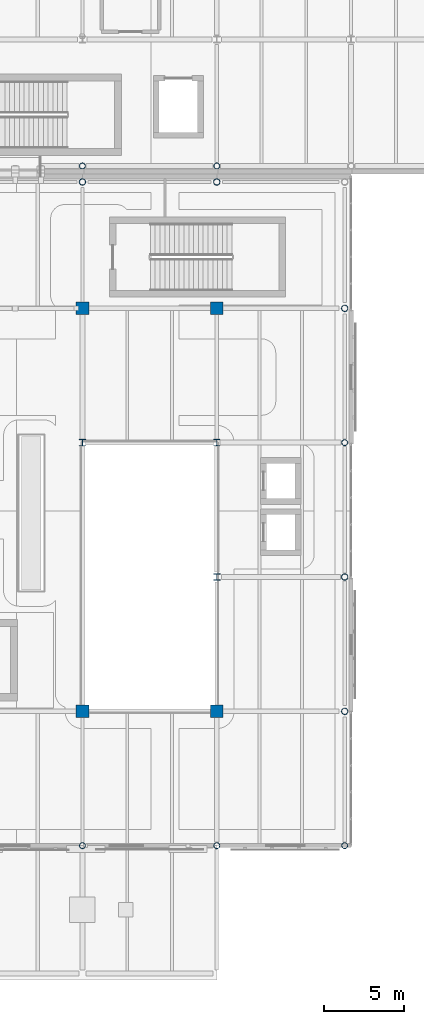
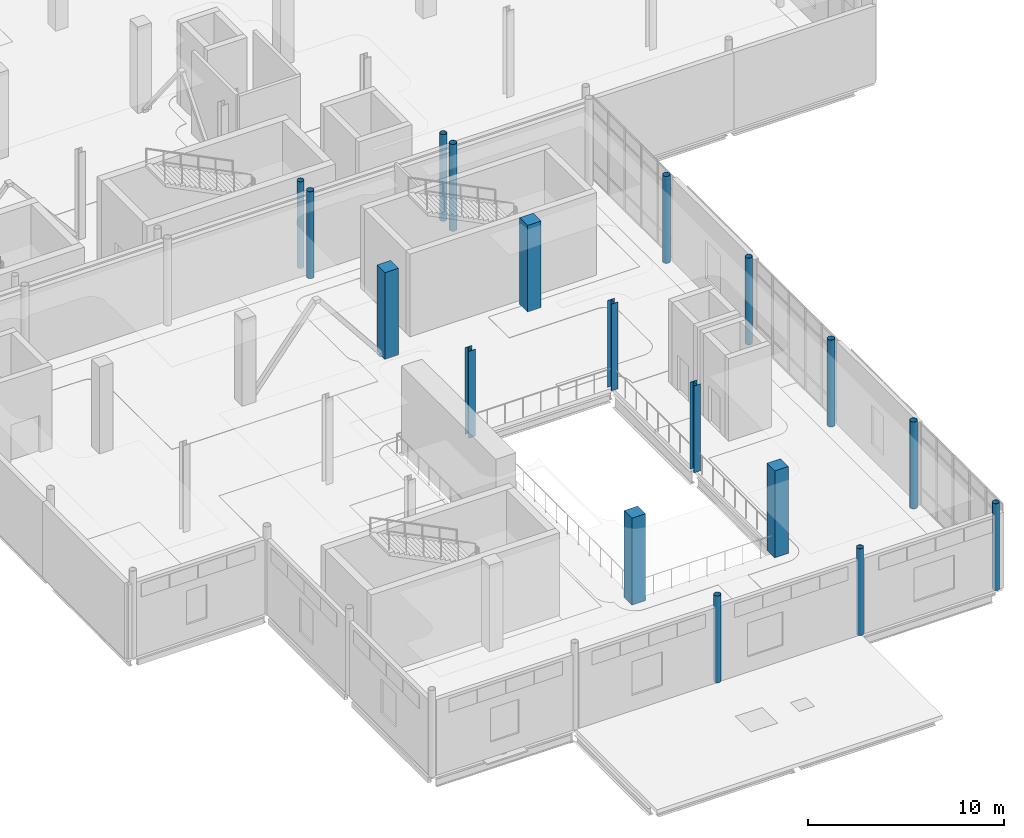
# One storey, part 12 of 110: 18 columns.
"""IFC4 building model written with IfcOpenShell, lengths in metres."""

from ifc_helpers import new_model, si_unit, direction, frame, origin, origin_2d, place, context, subcontext, project, spatial, rectangle, hollow_circle, i_section, extrude, material, material_profile, profile_set, type_object, element, save


model = new_model("IFC4")

# Units and contexts
model_context = context("Model", 3, precision=1e-05, world=origin(), true_north=direction((0.0, 1.0)))
body_context = subcontext(model_context, "Body", "Model", "MODEL_VIEW")
ifc_project = project(units=[si_unit("LENGTHUNIT", "METRE"), si_unit("AREAUNIT", "SQUARE_METRE"), si_unit("VOLUMEUNIT", "CUBIC_METRE"), si_unit("PLANEANGLEUNIT", "RADIAN"), si_unit("MASSUNIT", "GRAM", prefix="KILO"), si_unit("THERMODYNAMICTEMPERATUREUNIT", "KELVIN")], contexts=[model_context])

# Site, building, storey
site_placement = place(None, origin())
site = spatial("IfcSite", under=ifc_project, at=site_placement, CompositionType="ELEMENT")
building_placement = place(site_placement, origin())
building = spatial("IfcBuilding", under=site, at=building_placement, Name="Lustrewick Department Store", CompositionType="ELEMENT")
storey_placement = place(building_placement, frame((0.0, 0.0, 6.0)))
storey = spatial("IfcBuildingStorey", under=building, at=storey_placement, Name="L02", CompositionType="ELEMENT", Elevation=6.0)

# Columns
ifc_material_1 = material(Name="Structural steel Q355C", Category="steel")
ifc_material_profile_1 = material_profile(ifc_material_1, i_section(OverallWidth=0.405029296875, OverallDepth=0.4140625, WebThickness=0.01806640625, FlangeThickness=0.028076171875, FilletRadius=0.02197265625, at=origin_2d()), Name="HW 414x405x18x28")
ifc_profile_set_1 = profile_set([ifc_material_profile_1], Name="Structural steel Q355C")
column_type_1 = type_object("IfcColumnType", Name="C10", PredefinedType="COLUMN", material=ifc_profile_set_1)
column_placement = place(storey_placement, frame((142.800048828125, 25.199951171875, 0.0), z_axis=(0.0, 0.0, 1.0), x_axis=(1.0, 0.0, 0.0)))
element("IfcColumn", 1, at=column_placement, inside=storey, type_object=column_type_1, Name="L02 V3 Column C10", PredefinedType="COLUMN", context=body_context, shape_type="SweptSolid", body=[
    extrude(i_section(OverallWidth=0.405029296875, OverallDepth=0.4140625, WebThickness=0.01806640625, FlangeThickness=0.028076171875, FilletRadius=0.02197265625, at=origin_2d()), origin(), (0.0, 0.0, 1.0), 5.39990234375),
])
ifc_material_2 = material(Name="Structural steel Q355B", Category="steel")
ifc_material_profile_2 = material_profile(ifc_material_2, i_section(OverallWidth=0.39990234375, OverallDepth=0.39990234375, WebThickness=0.012939453125, FlangeThickness=0.02099609375, FilletRadius=0.02197265625, at=origin_2d()), Name="HW 400x400x13x21")
ifc_profile_set_2 = profile_set([ifc_material_profile_2], Name="Structural steel Q355B")
column_type_2 = type_object("IfcColumnType", Name="C11", PredefinedType="COLUMN", material=ifc_profile_set_2)
for number, where, z_axis, x_axis, name in (
    (2, (134.39990234375, 33.60009765625, 0.0), (0.0, 0.0, 1.0), (1.0, 0.0, 0.0), "L02 V3 Column C11"),
    (3, (142.800048828125, 33.60009765625, 0.0), (0.0, 0.0, 1.0), (1.0, 0.0, 0.0), "L02 V3 Column C11"),
):
    element("IfcColumn", number, at=place(storey_placement, frame(where, z_axis=z_axis, x_axis=x_axis)), inside=storey, type_object=column_type_2, Name=name, PredefinedType="COLUMN", context=body_context, shape_type="SweptSolid", body=[
        extrude(i_section(OverallWidth=0.39990234375, OverallDepth=0.39990234375, WebThickness=0.012939453125, FlangeThickness=0.02099609375, FilletRadius=0.02197265625, at=origin_2d()), origin(), (0.0, 0.0, 1.0), 5.39990234375),
    ])
ifc_material_3 = material(Name="Concrete C40", Category="concrete")
ifc_material_profile_3 = material_profile(ifc_material_3, rectangle(XDim=0.800048828125, YDim=0.800048828125, at=origin_2d()), Name="RC 800x800")
ifc_profile_set_3 = profile_set([ifc_material_profile_3], Name="Concrete C40")
column_type_3 = type_object("IfcColumnType", Name="C19", PredefinedType="COLUMN", material=ifc_profile_set_3)
for number, where, z_axis, x_axis, name in (
    (4, (134.39990234375, 16.800048828125, 0.0), (0.0, 0.0, 1.0), (1.0, 0.0, 0.0), "L02 V3 Column C19"),
    (5, (134.39990234375, 42.0, 0.0), (0.0, 0.0, 1.0), (1.0, 0.0, 0.0), "L02 V3 Column C19"),
    (6, (142.800048828125, 16.800048828125, 0.0), (0.0, 0.0, 1.0), (1.0, 0.0, 0.0), "L02 V3 Column C19"),
    (7, (142.800048828125, 42.0, 0.0), (0.0, 0.0, 1.0), (1.0, 0.0, 0.0), "L02 V3 Column C19"),
):
    element("IfcColumn", number, at=place(storey_placement, frame(where, z_axis=z_axis, x_axis=x_axis)), inside=storey, type_object=column_type_3, Name=name, PredefinedType="COLUMN", context=body_context, shape_type="SweptSolid", body=[
        extrude(rectangle(XDim=0.800048828125, YDim=0.800048828125, at=origin_2d()), origin(), (0.0, 0.0, 1.0), 5.39990234375),
    ])
ifc_material_profile_4 = material_profile(ifc_material_1, hollow_circle(Radius=0.202880859375, WallThickness=0.01611328125, at=origin_2d()), Name="CHS 406x16")
ifc_profile_set_4 = profile_set([ifc_material_profile_4], Name="Structural steel Q355C")
column_type_4 = type_object("IfcColumnType", Name="CE03", PredefinedType="COLUMN", material=ifc_profile_set_4)
for number, where, z_axis, x_axis, name in (
    (8, (134.39990234375, 49.89990234375, 0.0), (0.0, 0.0, 1.0), (1.0, 0.0, 0.0), "L02 V3 Column CE03"),
    (9, (142.800048828125, 49.89990234375, 0.0), (0.0, 0.0, 1.0), (1.0, 0.0, 0.0), "L02 V3 Column CE03"),
    (10, (150.800048828125, 16.800048828125, 0.0), (0.0, 0.0, 1.0), (1.0, 0.0, 0.0), "L02 V3 Column CE03"),
    (11, (150.800048828125, 25.199951171875, 0.0), (0.0, 0.0, 1.0), (1.0, 0.0, 0.0), "L02 V3 Column CE03"),
    (12, (150.800048828125, 42.0, 0.0), (0.0, 0.0, 1.0), (1.0, 0.0, 0.0), "L02 V3 Column CE03"),
):
    element("IfcColumn", number, at=place(storey_placement, frame(where, z_axis=z_axis, x_axis=x_axis)), inside=storey, type_object=column_type_4, Name=name, PredefinedType="COLUMN", context=body_context, shape_type="SweptSolid", body=[
        extrude(hollow_circle(Radius=0.202880859375, WallThickness=0.01611328125, at=origin_2d()), origin(), (0.0, 0.0, 1.0), 5.39990234375),
    ])
ifc_material_profile_5 = material_profile(ifc_material_2, hollow_circle(Radius=0.1884765625, WallThickness=0.013916015625, at=origin_2d()), Name="CHS 377x14")
ifc_profile_set_5 = profile_set([ifc_material_profile_5], Name="Structural steel Q355B")
column_type_5 = type_object("IfcColumnType", Name="CE04", PredefinedType="COLUMN", material=ifc_profile_set_5)
for number, where, z_axis, x_axis, name in (
    (13, (134.39990234375, 8.39990234375, 0.0), (0.0, 0.0, 1.0), (1.0, 0.0, 0.0), "L02 V3 Column CE04"),
    (14, (142.800048828125, 8.39990234375, 0.0), (0.0, 0.0, 1.0), (1.0, 0.0, 0.0), "L02 V3 Column CE04"),
    (15, (150.800048828125, 8.39990234375, 0.0), (0.0, 0.0, 1.0), (1.0, 0.0, 0.0), "L02 V3 Column CE04"),
    (16, (150.800048828125, 33.60009765625, 0.0), (0.0, 0.0, 1.0), (1.0, 0.0, 0.0), "L02 V3 Column CE04"),
    (17, (134.39990234375, 50.89990234375, 0.0), (0.0, 0.0, 1.0), (1.0, 0.0, 0.0), "L02 V4 Column CE04"),
    (18, (142.800048828125, 50.89990234375, 0.0), (0.0, 0.0, 1.0), (1.0, 0.0, 0.0), "L02 V4 Column CE04"),
):
    element("IfcColumn", number, at=place(storey_placement, frame(where, z_axis=z_axis, x_axis=x_axis)), inside=storey, type_object=column_type_5, Name=name, PredefinedType="COLUMN", context=body_context, shape_type="SweptSolid", body=[
        extrude(hollow_circle(Radius=0.1884765625, WallThickness=0.013916015625, at=origin_2d()), origin(), (0.0, 0.0, 1.0), 5.39990234375),
    ])

save(model, "model.ifc")
